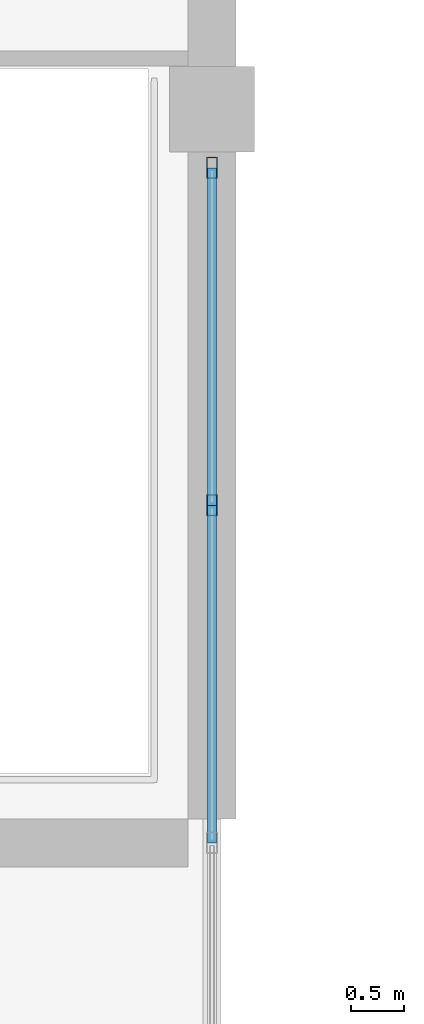
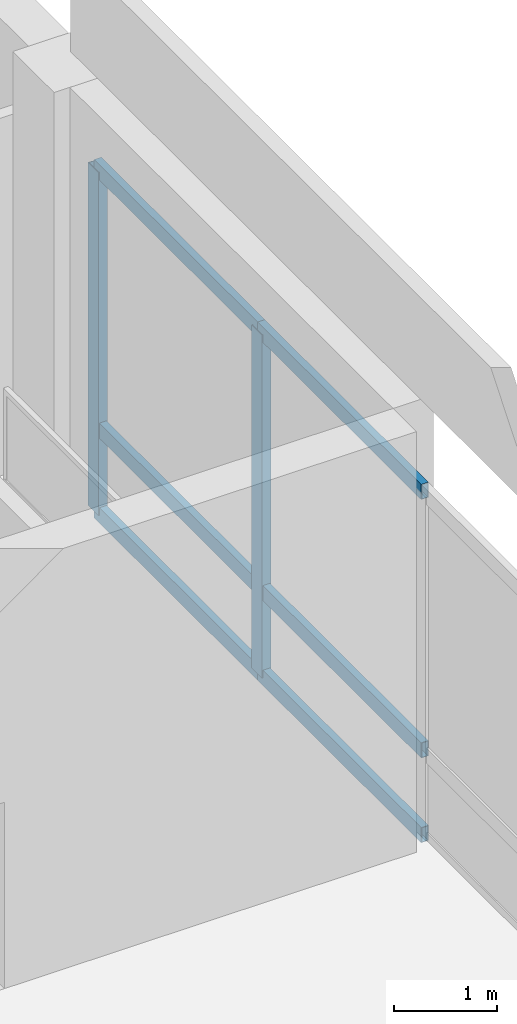
# One storey, part 21 of 113: 8 members, 1 element without a shape of its own.
"""IFC4 building model written with IfcOpenShell, lengths in metres."""

import ifcopenshell
import ifcopenshell.guid

model = None  # the IFC model being written
_history = None  # IfcOwnerHistory: only IFC2X3 demands one
_inside = {}  # id of a spatial element -> (the spatial element, [elements in it])
_under = {}  # id of a project, library or spatial element -> (it, [spatial elements below it])
_declared = {}  # id of a project -> (the project, [libraries it declares])
_typed = {}  # id of a type object -> (the type object, [elements of that type])
_made_of = {}  # id of a material, layer set ... -> (it, [elements and type objects made of it])


def new_model(schema):
    """Start an empty IFC model of exactly this schema.

    Asked for "IFC4X3", IfcOpenShell would pick the latest addendum, in which some entities
    have other attributes; the version numbers below select the first issue.
    IFC2X3 requires an IfcOwnerHistory on every rooted entity: one is made here for all.
    """
    global model, _history
    if schema == "IFC4X3":
        model = ifcopenshell.file(schema_version=(4, 3, 0, 0))
    else:
        model = ifcopenshell.file(schema=schema)
    _inside.clear()
    _under.clear()
    _declared.clear()
    _typed.clear()
    _made_of.clear()
    _history = None
    if model.schema == "IFC2X3":
        org = make("IfcOrganization", Name="unknown")
        user = make(
            "IfcPersonAndOrganization",
            ThePerson=make("IfcPerson", FamilyName="unknown"),
            TheOrganization=org,
        )
        app = make(
            "IfcApplication",
            ApplicationDeveloper=org,
            Version="unknown",
            ApplicationFullName="unknown",
            ApplicationIdentifier="unknown",
        )
        _history = make(
            "IfcOwnerHistory",
            OwningUser=user,
            OwningApplication=app,
            ChangeAction="ADDED",
            CreationDate=0,
        )
    return model


def make(cls, **values):
    """One entity of the class cls with the attributes given. An attribute that is None is left unset."""
    return model.create_entity(
        cls, **{name: value for name, value in values.items() if value is not None}
    )


def rooted(cls, **values):
    """An entity with a GlobalId (a new one), such as an element, a storey or a relation."""
    return make(cls, GlobalId=ifcopenshell.guid.new(), OwnerHistory=_history, **values)


def si_unit(unit_type, name, prefix=None):
    """IfcSIUnit, for example si_unit("LENGTHUNIT", "METRE", prefix="MILLI")."""
    return make("IfcSIUnit", UnitType=unit_type, Prefix=prefix, Name=name)


def assignment(units):
    """IfcUnitAssignment: the units of a project."""
    return None if units is None else make("IfcUnitAssignment", Units=units)


def point(xyz):
    """IfcCartesianPoint."""
    return None if xyz is None else make("IfcCartesianPoint", Coordinates=xyz)


def direction(xyz):
    """IfcDirection."""
    return None if xyz is None else make("IfcDirection", DirectionRatios=xyz)


def frame(location, z_axis=None, x_axis=None):
    """IfcAxis2Placement3D, a coordinate frame: its origin and axes. An axis left out is left unset."""
    return make(
        "IfcAxis2Placement3D",
        Location=point(location),
        Axis=direction(z_axis),
        RefDirection=direction(x_axis),
    )


def frame_2d(location, x_axis=None):
    """IfcAxis2Placement2D, a coordinate frame in the plane: its origin and x axis."""
    return make(
        "IfcAxis2Placement2D", Location=point(location), RefDirection=direction(x_axis)
    )


def origin():
    """The frame at (0, 0, 0) with its axes left unset."""
    return frame((0.0, 0.0, 0.0))


def origin_2d():
    """The frame at (0, 0) in the plane with its x axis left unset."""
    return frame_2d((0.0, 0.0))


def place(relative_to, where):
    """IfcLocalPlacement: puts the frame where relative to a parent placement (None: the world)."""
    return make(
        "IfcLocalPlacement", PlacementRelTo=relative_to, RelativePlacement=where
    )


def context(
    kind, dimensions, precision=None, world=None, true_north=None, identifier=None
):
    """IfcGeometricRepresentationContext, for example the 3D "Model" context."""
    return make(
        "IfcGeometricRepresentationContext",
        ContextIdentifier=identifier,
        ContextType=kind,
        CoordinateSpaceDimension=dimensions,
        Precision=precision,
        WorldCoordinateSystem=world,
        TrueNorth=true_north,
    )


def subcontext(parent, identifier, kind, view, scale=None):
    """IfcGeometricRepresentationSubContext, for example "Body" below "Model"."""
    return make(
        "IfcGeometricRepresentationSubContext",
        ContextIdentifier=identifier,
        ContextType=kind,
        ParentContext=parent,
        TargetScale=scale,
        TargetView=view,
    )


def project(units=None, contexts=None):
    """IfcProject with its units and contexts."""
    return rooted(
        "IfcProject",
        Name="project",
        RepresentationContexts=contexts,
        UnitsInContext=assignment(units),
    )


def spatial(cls, under=None, at=None, **own):
    """A site, building, storey or space (cls), placed at a placement, below another one or the project."""
    s = rooted(cls, ObjectPlacement=at, **own)
    if under is not None:
        _under.setdefault(under.id(), (under, []))[1].append(s)
    return s


def profile(cls, at=None, kind="AREA", **sizes):
    """A parametric profile (cls). Its sizes go by their IFC names, for example OverallWidth=200.0."""
    return make(cls, ProfileType=kind, Position=at, **sizes)


def hollow_rectangle(**sizes):
    """IfcRectangleHollowProfileDef."""
    return profile("IfcRectangleHollowProfileDef", **sizes)


def extrude(swept, where, along, depth):
    """IfcExtrudedAreaSolid: the profile swept, set in the frame where, extruded along a direction by depth."""
    return make(
        "IfcExtrudedAreaSolid",
        SweptArea=swept,
        Position=where,
        ExtrudedDirection=direction(along),
        Depth=depth,
    )


def shape(context_of_items, identifier, shape_type, items):
    """IfcShapeRepresentation: the items that make up one representation, for example the "Body"."""
    return make(
        "IfcShapeRepresentation",
        ContextOfItems=context_of_items,
        RepresentationIdentifier=identifier,
        RepresentationType=shape_type,
        Items=items,
    )


def material(Name=None, Category=None):
    """IfcMaterial."""
    return make("IfcMaterial", Name=Name, Category=Category)


def material_profile(
    of_material, cross_section, Name=None, Category=None, Priority=None
):
    """IfcMaterialProfile: a cross section and its material."""
    return make(
        "IfcMaterialProfile",
        Name=Name,
        Material=of_material,
        Profile=cross_section,
        Priority=Priority,
        Category=Category,
    )


def profile_set(profiles, Name=None, composite=None):
    """IfcMaterialProfileSet."""
    return make(
        "IfcMaterialProfileSet",
        Name=Name,
        MaterialProfiles=profiles,
        CompositeProfile=composite,
    )


def made_of(thing, what):
    """Note that an element or type object is made of a material, layer set ...; save() writes the relation."""
    if what is not None:
        _made_of.setdefault(what.id(), (what, []))[1].append(thing)
    return thing


def type_object(cls, material=None, **own):
    """A type object (cls), such as IfcWallType, which elements share."""
    return made_of(rooted(cls, **own), material)


def element(
    cls,
    number,
    at=None,
    inside=None,
    cuts=None,
    type_object=None,
    material=None,
    context=None,
    identifier="Body",
    shape_type=None,
    held_by="IfcProductDefinitionShape",
    body=None,
    shapes=None,
    **own,
):
    """One element of the class cls, such as IfcWall. Its Tag is "e" and its number.

    at: its placement. inside: the storey or other place that contains it. cuts: it is an
    opening in that element (IfcRelVoidsElement). A single representation is given by context,
    identifier, shape_type and body (its items); several are given by shapes. held_by: the class
    of the entity that holds the representations. save() writes the other relations.
    """
    e = rooted(cls, Tag="e%d" % number, ObjectPlacement=at, **own)
    if body is not None:
        shapes = [shape(context, identifier, shape_type, body)]
    if shapes is not None:
        e.Representation = make(held_by, Representations=shapes)
    if inside is not None:
        _inside.setdefault(inside.id(), (inside, []))[1].append(e)
    if cuts is not None:
        rooted(
            "IfcRelVoidsElement", RelatingBuildingElement=cuts, RelatedOpeningElement=e
        )
    if type_object is not None:
        _typed.setdefault(type_object.id(), (type_object, []))[1].append(e)
    return made_of(e, material)


def aggregate(whole, parts):
    """IfcRelAggregates: a whole, such as a stair, and the parts it consists of."""
    return rooted("IfcRelAggregates", RelatingObject=whole, RelatedObjects=parts)


def save(model, path):
    """Write the relations noted so far, then the file.

    IfcRelAggregates (storeys below a building ...), IfcRelContainedInSpatialStructure (elements
    in a storey), IfcRelDefinesByType, IfcRelAssociatesMaterial and IfcRelDeclares: one each for
    every whole, place, type object, material and project.
    """
    for whole, parts in _under.values():
        aggregate(whole, parts)
    for where, things in _inside.values():
        rooted(
            "IfcRelContainedInSpatialStructure",
            RelatedElements=things,
            RelatingStructure=where,
        )
    for kind, things in _typed.values():
        rooted("IfcRelDefinesByType", RelatedObjects=things, RelatingType=kind)
    for what, things in _made_of.values():
        rooted("IfcRelAssociatesMaterial", RelatedObjects=things, RelatingMaterial=what)
    for by, libraries in _declared.values():
        rooted("IfcRelDeclares", RelatingContext=by, RelatedDefinitions=libraries)
    model.write(path)


model = new_model("IFC4")

# Units and contexts
model_context = context("Model", 3, precision=1e-05, world=origin(), true_north=direction((0.0, 1.0)))
body_context = subcontext(model_context, "Body", "Model", "MODEL_VIEW")
ifc_project = project(units=[si_unit("LENGTHUNIT", "METRE"), si_unit("AREAUNIT", "SQUARE_METRE"), si_unit("VOLUMEUNIT", "CUBIC_METRE"), si_unit("PLANEANGLEUNIT", "RADIAN"), si_unit("MASSUNIT", "GRAM", prefix="KILO")], contexts=[model_context])

# Site, building, storey
site_placement = place(None, origin())
site = spatial("IfcSite", under=ifc_project, at=site_placement, CompositionType="ELEMENT")
building_placement = place(site_placement, origin())
building = spatial("IfcBuilding", under=site, at=building_placement, Name="Linyun Crest Stadium", CompositionType="ELEMENT")
storey_placement = place(building_placement, frame((0.0, 0.0, 26.39990234375)))
storey = spatial("IfcBuildingStorey", under=building, at=storey_placement, Name="L06", CompositionType="ELEMENT", Elevation=26.39990234375)

# Curtain wall, members
ifc_material_1 = material(Name="Verdigris steel and low-E curtain wall assembly", Category="steel")
curtain_wall_type = type_object("IfcCurtainWallType", Name="MCW06", PredefinedType="NOTDEFINED", material=ifc_material_1)
curtain_wall_placement = place(storey_placement, origin())
curtain_wall = element("IfcCurtainWall", 1, at=curtain_wall_placement, inside=storey, type_object=curtain_wall_type, Name="CWR-122", PredefinedType="NOTDEFINED")
ifc_material_2 = material(Name="Verdigris painted steel Q355C mullion", Category="steel")
ifc_material_profile_1 = material_profile(ifc_material_2, hollow_rectangle(XDim=0.10009765625, YDim=0.199951171875, WallThickness=0.008056640625, at=origin_2d()), Name="RHS 200x100x8")
ifc_profile_set_1 = profile_set([ifc_material_profile_1], Name="Verdigris painted steel Q355C mullion")
member_type_1 = type_object("IfcMemberType", Name="ML03", PredefinedType="MULLION", material=ifc_profile_set_1)
member_1_placement = place(storey_placement, frame((-70.0, 39.662109375, 0.0), z_axis=(0.0, 0.0, 1.0), x_axis=(-1.0, 0.0, 0.0)))
member_1 = element("IfcMember", 2, at=member_1_placement, type_object=member_type_1, Name="CWR-122 mullion 4", PredefinedType="MULLION", context=body_context, shape_type="SweptSolid", body=[
    extrude(hollow_rectangle(XDim=0.10009765625, YDim=0.199951171875, WallThickness=0.008056640625, at=origin_2d()), origin(), (0.0, 0.0, 1.0), 4.050048828125),
])
member_2_placement = place(storey_placement, frame((-70.0, 42.824951171875, 0.0), z_axis=(0.0, 0.0, 1.0), x_axis=(-1.0, 0.0, 0.0)))
member_2 = element("IfcMember", 3, at=member_2_placement, type_object=member_type_1, Name="CWR-122 mullion 5", PredefinedType="MULLION", context=body_context, shape_type="SweptSolid", body=[
    extrude(hollow_rectangle(XDim=0.10009765625, YDim=0.199951171875, WallThickness=0.008056640625, at=origin_2d()), origin(), (0.0, 0.0, 1.0), 4.050048828125),
])
ifc_material_3 = material(Name="Verdigris painted steel Q355B transom", Category="steel")
ifc_material_profile_2 = material_profile(ifc_material_3, hollow_rectangle(XDim=0.080078125, YDim=0.179931640625, WallThickness=0.006103515625, at=origin_2d()), Name="RHS 180x80x6")
ifc_profile_set_2 = profile_set([ifc_material_profile_2], Name="Verdigris painted steel Q355B transom")
member_type_2 = type_object("IfcMemberType", Name="TR02", PredefinedType="USERDEFINED", material=ifc_profile_set_2)
member_3_placement = place(storey_placement, frame((-70.0, 36.5, 0.0), z_axis=(0.0, 1.0, 0.0), x_axis=(-1.0, 0.0, 0.0)))
member_3 = element("IfcMember", 4, at=member_3_placement, type_object=member_type_2, Name="CWR-122 transom 3.1", ObjectType="TRANSOM", PredefinedType="USERDEFINED", context=body_context, shape_type="SweptSolid", body=[
    extrude(hollow_rectangle(XDim=0.080078125, YDim=0.179931640625, WallThickness=0.006103515625, at=origin_2d()), origin(), (0.0, 0.0, 1.0), 3.162109375),
])
member_4_placement = place(storey_placement, frame((-70.0, 36.5, 1.0), z_axis=(0.0, 1.0, 0.0), x_axis=(-1.0, 0.0, 0.0)))
member_4 = element("IfcMember", 5, at=member_4_placement, type_object=member_type_2, Name="CWR-122 transom 3.2", ObjectType="TRANSOM", PredefinedType="USERDEFINED", context=body_context, shape_type="SweptSolid", body=[
    extrude(hollow_rectangle(XDim=0.080078125, YDim=0.179931640625, WallThickness=0.006103515625, at=origin_2d()), origin(), (0.0, 0.0, 1.0), 3.162109375),
])
member_5_placement = place(storey_placement, frame((-70.0, 36.5, 4.050048828125), z_axis=(0.0, 1.0, 0.0), x_axis=(-1.0, 0.0, 0.0)))
member_5 = element("IfcMember", 6, at=member_5_placement, type_object=member_type_2, Name="CWR-122 transom 3.3", ObjectType="TRANSOM", PredefinedType="USERDEFINED", context=body_context, shape_type="SweptSolid", body=[
    extrude(hollow_rectangle(XDim=0.080078125, YDim=0.179931640625, WallThickness=0.006103515625, at=origin_2d()), origin(), (0.0, 0.0, 1.0), 3.162109375),
])
member_6_placement = place(storey_placement, frame((-70.0, 39.662109375, 0.0), z_axis=(0.0, 1.0, 0.0), x_axis=(-1.0, 0.0, 0.0)))
member_6 = element("IfcMember", 7, at=member_6_placement, type_object=member_type_2, Name="CWR-122 transom 4.1", ObjectType="TRANSOM", PredefinedType="USERDEFINED", context=body_context, shape_type="SweptSolid", body=[
    extrude(hollow_rectangle(XDim=0.080078125, YDim=0.179931640625, WallThickness=0.006103515625, at=origin_2d()), origin(), (0.0, 0.0, 1.0), 3.162841796875),
])
member_7_placement = place(storey_placement, frame((-70.0, 39.662109375, 1.0), z_axis=(0.0, 1.0, 0.0), x_axis=(-1.0, 0.0, 0.0)))
member_7 = element("IfcMember", 8, at=member_7_placement, type_object=member_type_2, Name="CWR-122 transom 4.2", ObjectType="TRANSOM", PredefinedType="USERDEFINED", context=body_context, shape_type="SweptSolid", body=[
    extrude(hollow_rectangle(XDim=0.080078125, YDim=0.179931640625, WallThickness=0.006103515625, at=origin_2d()), origin(), (0.0, 0.0, 1.0), 3.162841796875),
])
member_8_placement = place(storey_placement, frame((-70.0, 39.662109375, 4.050048828125), z_axis=(0.0, 1.0, 0.0), x_axis=(-1.0, 0.0, 0.0)))
member_8 = element("IfcMember", 9, at=member_8_placement, type_object=member_type_2, Name="CWR-122 transom 4.3", ObjectType="TRANSOM", PredefinedType="USERDEFINED", context=body_context, shape_type="SweptSolid", body=[
    extrude(hollow_rectangle(XDim=0.080078125, YDim=0.179931640625, WallThickness=0.006103515625, at=origin_2d()), origin(), (0.0, 0.0, 1.0), 3.162841796875),
])
aggregate(curtain_wall, [member_1, member_2, member_3, member_4, member_5, member_6, member_7, member_8])

save(model, "model.ifc")
